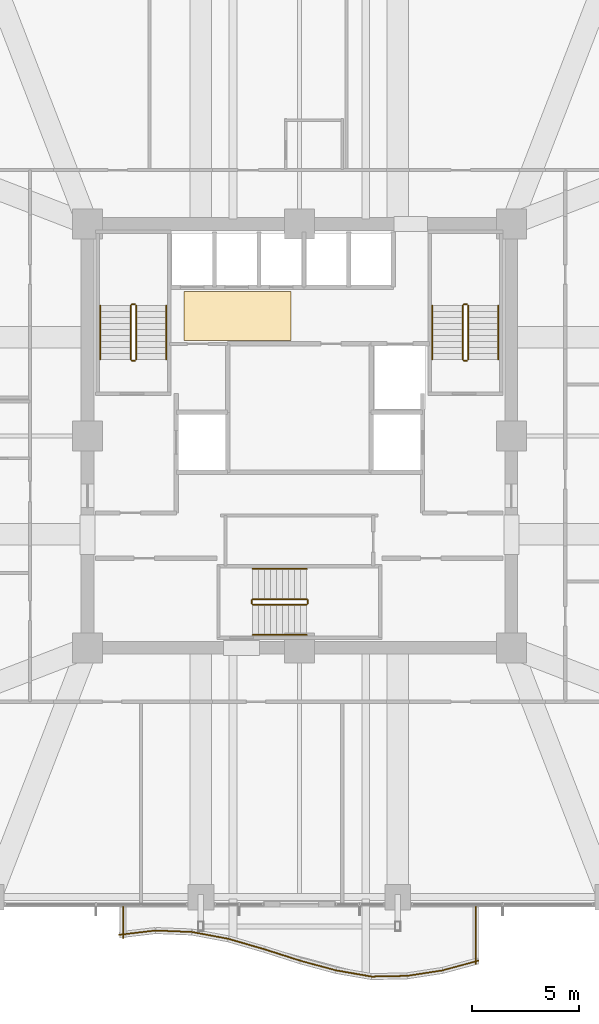
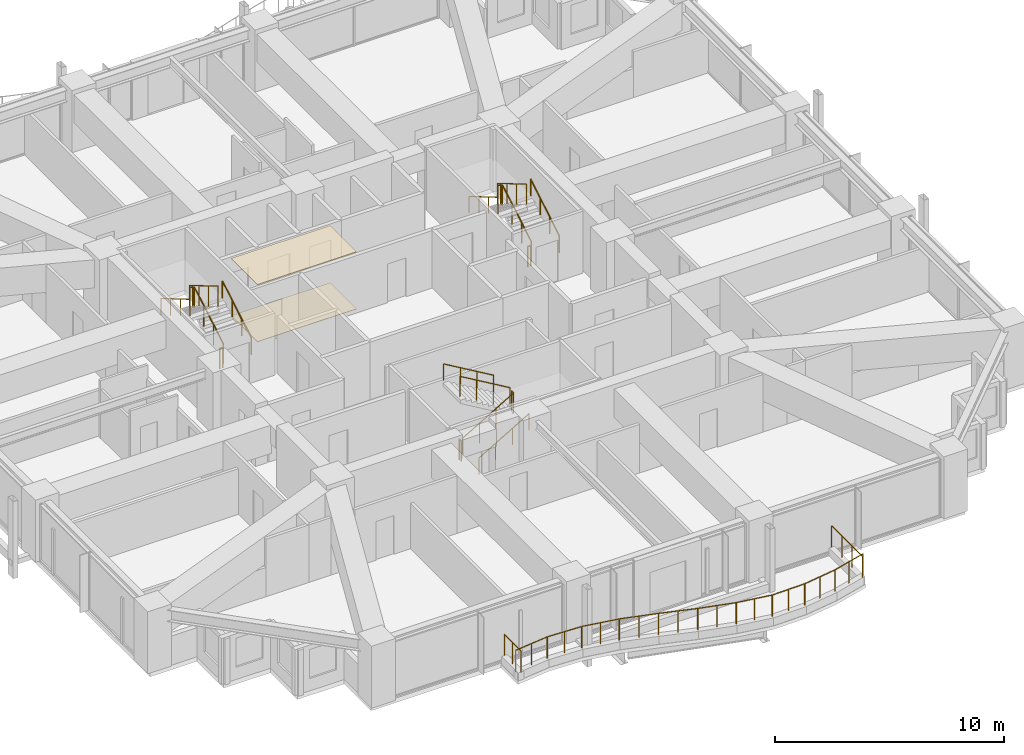
# One storey, part 36 of 37: 30 railings, 2 coverings.
"""IFC4 building model written with IfcOpenShell, lengths in metres."""

from ifc_helpers import new_model, si_unit, direction, frame, origin, origin_2d, place, context, subcontext, project, spatial, polyline, circle, outline, extrude, material, layer, layer_set, type_object, element, save


model = new_model("IFC4")

# Units and contexts
model_context = context("Model", 3, precision=1e-05, world=origin(), true_north=direction((0.0, 1.0)))
body_context = subcontext(model_context, "Body", "Model", "MODEL_VIEW")
ifc_project = project(units=[si_unit("LENGTHUNIT", "METRE"), si_unit("AREAUNIT", "SQUARE_METRE"), si_unit("VOLUMEUNIT", "CUBIC_METRE"), si_unit("PLANEANGLEUNIT", "RADIAN"), si_unit("MASSUNIT", "GRAM", prefix="KILO")], contexts=[model_context])

# Site, building, storey
site_placement = place(None, origin())
site = spatial("IfcSite", under=ifc_project, at=site_placement, CompositionType="ELEMENT")
building_placement = place(site_placement, origin())
building = spatial("IfcBuilding", under=site, at=building_placement, Name="Kolvaren Belvedere", CompositionType="ELEMENT")
storey_placement = place(building_placement, frame((0.0, 0.0, 43.60009765625)))
storey = spatial("IfcBuildingStorey", under=building, at=storey_placement, Name="L12", CompositionType="ELEMENT", Elevation=43.60009765625)

# Coverings
ifc_material_1 = material(Name="Acoustic perforated gypsum board", Category="gypsum")
ifc_layer_1 = layer(ifc_material_1, 0.02490234375)
ifc_layer_set_1 = layer_set([ifc_layer_1], Name="Acoustic perforated gypsum board")
covering_type_1 = type_object("IfcCoveringType", Name="COV-CEIL-GYP", PredefinedType="CEILING", material=ifc_layer_set_1)
covering_1_placement = place(storey_placement, frame((0.0, 0.0, 3.034912109375)))
element("IfcCovering", 1, at=covering_1_placement, inside=storey, type_object=covering_type_1, Name="L12 Lift Lobby Acoustic Baffle Ceiling", PredefinedType="CEILING", context=body_context, shape_type="SweptSolid", body=[
    extrude(outline(polyline([(-5.39990234375, 4.449951171875), (-0.39990234375, 4.449951171875), (-0.39990234375, 6.75), (-5.39990234375, 6.75), (-5.39990234375, 4.449951171875)])), origin(), (0.0, 0.0, 1.0), 0.02490234375),
])
ifc_material_2 = material(Name="Engineered Pacific white oak", Category="timber")
ifc_layer_2 = layer(ifc_material_2, 0.02001953125)
ifc_layer_set_2 = layer_set([ifc_layer_2], Name="Engineered Pacific white oak")
covering_type_2 = type_object("IfcCoveringType", Name="COV-FLR-OAK", PredefinedType="FLOORING", material=ifc_layer_set_2)
covering_2_placement = place(storey_placement, origin())
element("IfcCovering", 2, at=covering_2_placement, inside=storey, type_object=covering_type_2, Name="L12 Lift Lobby Finish Flooring", PredefinedType="FLOORING", context=body_context, shape_type="SweptSolid", body=[
    extrude(outline(polyline([(-5.39990234375, 4.449951171875), (-0.39990234375, 4.449951171875), (-0.39990234375, 6.75), (-5.39990234375, 6.75), (-5.39990234375, 4.449951171875)])), origin(), (0.0, 0.0, 1.0), 0.02001953125),
])

# Railings
ifc_material_3 = material(Name="Anodised pale-metal aluminium & laminated glass guard", Category="aluminium")
railing_type_1 = type_object("IfcRailingType", Name="RL-GUARD-1150", PredefinedType="GUARDRAIL", material=ifc_material_3)
railing_1_placement = place(storey_placement, frame((-8.418701171875, -23.307373046875, 0.35986328125)))
element("IfcRailing", 3, at=railing_1_placement, inside=storey, type_object=railing_type_1, Name="L12 Exterior Deck Safety Guard BAL-S-1", PredefinedType="GUARDRAIL", context=body_context, shape_type="SweptSolid", body=[
    extrude(circle(Radius=0.02392578125, at=origin_2d()), frame((0.0, 0.0, 1.1259765625), z_axis=(0.993142720498, 0.116908240605, 0.0), x_axis=(-0.116908240605, 0.993142720498, 0.0)), (0.0, 0.0, 1.0), 1.691650390625),
    extrude(circle(Radius=0.02099609375, at=origin_2d()), origin(), (0.0, 0.0, 1.0), 1.101806640625),
    extrude(circle(Radius=0.02099609375, at=origin_2d()), frame((0.83984375, 0.098876953125, 0.0)), (0.0, 0.0, 1.0), 1.101806640625),
    extrude(circle(Radius=0.02099609375, at=origin_2d()), frame((1.679931640625, 0.19775390625, 0.0)), (0.0, 0.0, 1.0), 1.101806640625),
])
railing_2_placement = place(storey_placement, frame((-6.713623046875, -23.108642578125, 0.35986328125)))
element("IfcRailing", 4, at=railing_2_placement, inside=storey, type_object=railing_type_1, Name="L12 Exterior Deck Safety Guard BAL-S-2", PredefinedType="GUARDRAIL", context=body_context, shape_type="SweptSolid", body=[
    extrude(circle(Radius=0.02392578125, at=origin_2d()), frame((0.0, 0.0, 1.1259765625), z_axis=(0.999202349922, -0.039933243166, 0.0), x_axis=(0.039933243166, 0.999202349922, 0.0)), (0.0, 0.0, 1.0), 1.68115234375),
    extrude(circle(Radius=0.02099609375, at=origin_2d()), origin(), (0.0, 0.0, 1.0), 1.101806640625),
    extrude(circle(Radius=0.02099609375, at=origin_2d()), frame((0.83984375, -0.03369140625, 0.0)), (0.0, 0.0, 1.0), 1.101806640625),
    extrude(circle(Radius=0.02099609375, at=origin_2d()), frame((1.679931640625, -0.067138671875, 0.0)), (0.0, 0.0, 1.0), 1.101806640625),
])
railing_3_placement = place(storey_placement, frame((-5.010498046875, -23.1787109375, 0.35986328125)))
element("IfcRailing", 5, at=railing_3_placement, inside=storey, type_object=railing_type_1, Name="L12 Exterior Deck Safety Guard BAL-S-3", PredefinedType="GUARDRAIL", context=body_context, shape_type="SweptSolid", body=[
    extrude(circle(Radius=0.02392578125, at=origin_2d()), frame((0.0, 0.0, 1.1259765625), z_axis=(0.982804219087, -0.184650661912, 0.0), x_axis=(0.184650661912, 0.982804219087, 0.0)), (0.0, 0.0, 1.0), 1.70947265625),
    extrude(circle(Radius=0.02099609375, at=origin_2d()), origin(), (0.0, 0.0, 1.0), 1.101806640625),
    extrude(circle(Radius=0.02099609375, at=origin_2d()), frame((0.840087890625, -0.15771484375, 0.0)), (0.0, 0.0, 1.0), 1.101806640625),
    extrude(circle(Radius=0.02099609375, at=origin_2d()), frame((1.68017578125, -0.315673828125, 0.0)), (0.0, 0.0, 1.0), 1.101806640625),
])
railing_4_placement = place(storey_placement, frame((-3.3154296875, -23.497802734375, 0.35986328125)))
element("IfcRailing", 6, at=railing_4_placement, inside=storey, type_object=railing_type_1, Name="L12 Exterior Deck Safety Guard BAL-S-4", PredefinedType="GUARDRAIL", context=body_context, shape_type="SweptSolid", body=[
    extrude(circle(Radius=0.02392578125, at=origin_2d()), frame((0.0, 0.0, 1.1259765625), z_axis=(0.96059663827, -0.277946215201, 0.0), x_axis=(0.277946215201, 0.96059663827, 0.0)), (0.0, 0.0, 1.0), 1.748779296875),
    extrude(circle(Radius=0.02099609375, at=origin_2d()), origin(), (0.0, 0.0, 1.0), 1.101806640625),
    extrude(circle(Radius=0.02099609375, at=origin_2d()), frame((0.83984375, -0.2431640625, 0.0)), (0.0, 0.0, 1.0), 1.101806640625),
    extrude(circle(Radius=0.02099609375, at=origin_2d()), frame((1.679931640625, -0.486083984375, 0.0)), (0.0, 0.0, 1.0), 1.101806640625),
])
railing_5_placement = place(storey_placement, frame((-1.63134765625, -23.985107421875, 0.35986328125)))
element("IfcRailing", 7, at=railing_5_placement, inside=storey, type_object=railing_type_1, Name="L12 Exterior Deck Safety Guard BAL-S-5", PredefinedType="GUARDRAIL", context=body_context, shape_type="SweptSolid", body=[
    extrude(circle(Radius=0.02392578125, at=origin_2d()), frame((0.0, 0.0, 1.1259765625), z_axis=(0.952661770826, -0.304032153573, 0.0), x_axis=(0.304032153573, 0.952661770826, 0.0)), (0.0, 0.0, 1.0), 1.763427734375),
    extrude(circle(Radius=0.02099609375, at=origin_2d()), origin(), (0.0, 0.0, 1.0), 1.101806640625),
    extrude(circle(Radius=0.02099609375, at=origin_2d()), frame((0.83984375, -0.26806640625, 0.0)), (0.0, 0.0, 1.0), 1.101806640625),
    extrude(circle(Radius=0.02099609375, at=origin_2d()), frame((1.679931640625, -0.5361328125, 0.0)), (0.0, 0.0, 1.0), 1.101806640625),
])
railing_6_placement = place(storey_placement, frame((0.041748046875, -24.519287109375, 0.35986328125)))
element("IfcRailing", 8, at=railing_6_placement, inside=storey, type_object=railing_type_1, Name="L12 Exterior Deck Safety Guard BAL-S-6", PredefinedType="GUARDRAIL", context=body_context, shape_type="SweptSolid", body=[
    extrude(circle(Radius=0.02392578125, at=origin_2d()), frame((0.0, 0.0, 1.1259765625), z_axis=(0.965424492388, -0.260682852326, 0.0), x_axis=(0.260682852326, 0.965424492388, 0.0)), (0.0, 0.0, 1.0), 1.739990234375),
    extrude(circle(Radius=0.02099609375, at=origin_2d()), origin(), (0.0, 0.0, 1.0), 1.101806640625),
    extrude(circle(Radius=0.02099609375, at=origin_2d()), frame((0.83984375, -0.226806640625, 0.0)), (0.0, 0.0, 1.0), 1.101806640625),
    extrude(circle(Radius=0.02099609375, at=origin_2d()), frame((1.679931640625, -0.45361328125, 0.0)), (0.0, 0.0, 1.0), 1.101806640625),
])
railing_7_placement = place(storey_placement, frame((1.70751953125, -24.9697265625, 0.35986328125)))
element("IfcRailing", 9, at=railing_7_placement, inside=storey, type_object=railing_type_1, Name="L12 Exterior Deck Safety Guard BAL-S-7", PredefinedType="GUARDRAIL", context=body_context, shape_type="SweptSolid", body=[
    extrude(circle(Radius=0.02392578125, at=origin_2d()), frame((0.0, 0.0, 1.1259765625), z_axis=(0.985156010777, -0.171661394699, 0.0), x_axis=(0.171661394699, 0.985156010777, 0.0)), (0.0, 0.0, 1.0), 1.705322265625),
    extrude(circle(Radius=0.02099609375, at=origin_2d()), origin(), (0.0, 0.0, 1.0), 1.101806640625),
    extrude(circle(Radius=0.02099609375, at=origin_2d()), frame((0.83984375, -0.146484375, 0.0)), (0.0, 0.0, 1.0), 1.101806640625),
    extrude(circle(Radius=0.02099609375, at=origin_2d()), frame((1.679931640625, -0.292724609375, 0.0)), (0.0, 0.0, 1.0), 1.101806640625),
])
railing_8_placement = place(storey_placement, frame((3.356689453125, -25.260009765625, 0.35986328125)))
element("IfcRailing", 10, at=railing_8_placement, inside=storey, type_object=railing_type_1, Name="L12 Exterior Deck Safety Guard BAL-S-8", PredefinedType="GUARDRAIL", context=body_context, shape_type="SweptSolid", body=[
    extrude(circle(Radius=0.02392578125, at=origin_2d()), frame((0.0, 0.0, 1.1259765625), z_axis=(0.99979609052, 0.020193498486, 0.0), x_axis=(-0.020193498486, 0.99979609052, 0.0)), (0.0, 0.0, 1.0), 1.680419921875),
    extrude(circle(Radius=0.02099609375, at=origin_2d()), origin(), (0.0, 0.0, 1.0), 1.101806640625),
    extrude(circle(Radius=0.02099609375, at=origin_2d()), frame((0.840087890625, 0.01708984375, 0.0)), (0.0, 0.0, 1.0), 1.101806640625),
    extrude(circle(Radius=0.02099609375, at=origin_2d()), frame((1.68017578125, 0.033935546875, 0.0)), (0.0, 0.0, 1.0), 1.101806640625),
])
railing_9_placement = place(storey_placement, frame((5.015625, -25.22802734375, 0.35986328125)))
element("IfcRailing", 11, at=railing_9_placement, inside=storey, type_object=railing_type_1, Name="L12 Exterior Deck Safety Guard BAL-S-9", PredefinedType="GUARDRAIL", context=body_context, shape_type="SweptSolid", body=[
    extrude(circle(Radius=0.02392578125, at=origin_2d()), frame((0.0, 0.0, 1.1259765625), z_axis=(0.988341789514, 0.152251460091, 0.0), x_axis=(-0.152251460091, 0.988341789514, 0.0)), (0.0, 0.0, 1.0), 1.69970703125),
    extrude(circle(Radius=0.02099609375, at=origin_2d()), origin(), (0.0, 0.0, 1.0), 1.101806640625),
    extrude(circle(Radius=0.02099609375, at=origin_2d()), frame((0.83984375, 0.12939453125, 0.0)), (0.0, 0.0, 1.0), 1.101806640625),
    extrude(circle(Radius=0.02099609375, at=origin_2d()), frame((1.679931640625, 0.2587890625, 0.0)), (0.0, 0.0, 1.0), 1.101806640625),
])
railing_10_placement = place(storey_placement, frame((6.67822265625, -24.972900390625, 0.35986328125)))
element("IfcRailing", 12, at=railing_10_placement, inside=storey, type_object=railing_type_1, Name="L12 Exterior Deck Safety Guard BAL-S-10", PredefinedType="GUARDRAIL", context=body_context, shape_type="SweptSolid", body=[
    extrude(circle(Radius=0.02392578125, at=origin_2d()), frame((0.0, 0.0, 1.1259765625), z_axis=(0.965434024814, 0.260647546949, 0.0), x_axis=(-0.260647546949, 0.965434024814, 0.0)), (0.0, 0.0, 1.0), 1.740234375),
    extrude(circle(Radius=0.02099609375, at=origin_2d()), origin(), (0.0, 0.0, 1.0), 1.101806640625),
    extrude(circle(Radius=0.02099609375, at=origin_2d()), frame((0.840087890625, 0.226806640625, 0.0)), (0.0, 0.0, 1.0), 1.101806640625),
    extrude(circle(Radius=0.02099609375, at=origin_2d()), frame((1.68017578125, 0.45361328125, 0.0)), (0.0, 0.0, 1.0), 1.101806640625),
])
railing_11_placement = place(storey_placement, frame((8.239990234375, -24.673583984375, 0.35986328125)))
element("IfcRailing", 13, at=railing_11_placement, inside=storey, type_object=railing_type_1, Name="L12 Exterior Deck Safety Guard BAL-S-11", PredefinedType="GUARDRAIL", context=body_context, shape_type="SweptSolid", body=[
    extrude(circle(Radius=0.02392578125, at=origin_2d()), frame((0.0, 0.0, 1.1259765625), z_axis=(0.0, 1.0, 0.0), x_axis=(-1.0, 0.0, 0.0)), (0.0, 0.0, 1.0), 2.673583984375),
    extrude(circle(Radius=0.02099609375, at=origin_2d()), origin(), (0.0, 0.0, 1.0), 1.101806640625),
    extrude(circle(Radius=0.02099609375, at=origin_2d()), frame((0.0, 0.89111328125, 0.0)), (0.0, 0.0, 1.0), 1.101806640625),
    extrude(circle(Radius=0.02099609375, at=origin_2d()), frame((0.0, 1.782470703125, 0.0)), (0.0, 0.0, 1.0), 1.101806640625),
    extrude(circle(Radius=0.02099609375, at=origin_2d()), frame((0.0, 2.673583984375, 0.0)), (0.0, 0.0, 1.0), 1.101806640625),
])
railing_12_placement = place(storey_placement, frame((-8.239990234375, -22.0, 0.35986328125)))
element("IfcRailing", 14, at=railing_12_placement, inside=storey, type_object=railing_type_1, Name="L12 Exterior Deck Safety Guard BAL-S-22", PredefinedType="GUARDRAIL", context=body_context, shape_type="SweptSolid", body=[
    extrude(circle(Radius=0.02392578125, at=origin_2d()), frame((0.0, 0.0, 1.1259765625), z_axis=(0.0, -1.0, 0.0), x_axis=(1.0, 0.0, 0.0)), (0.0, 0.0, 1.0), 1.46630859375),
    extrude(circle(Radius=0.02099609375, at=origin_2d()), origin(), (0.0, 0.0, 1.0), 1.101806640625),
    extrude(circle(Radius=0.02099609375, at=origin_2d()), frame((0.0, -0.733154296875, 0.0)), (0.0, 0.0, 1.0), 1.101806640625),
    extrude(circle(Radius=0.02099609375, at=origin_2d()), frame((0.0, -1.46630859375, 0.0)), (0.0, 0.0, 1.0), 1.101806640625),
])
ifc_material_4 = material(Name="Brushed stainless-steel handrail", Category="steel")
railing_type_2 = type_object("IfcRailingType", Name="RL-HANDRAIL-920", PredefinedType="HANDRAIL", material=ifc_material_4)
railing_13_placement = place(storey_placement, frame((-6.2099609375, 3.570068359375, 0.164794921875)))
element("IfcRailing", 15, at=railing_13_placement, inside=storey, type_object=railing_type_2, Name="L12 ST-1 stair handrail 1", PredefinedType="HANDRAIL", context=body_context, shape_type="SweptSolid", body=[
    extrude(circle(Radius=0.02392578125, at=origin_2d()), frame((0.0, 0.0, 0.8759765625), z_axis=(0.0, 0.86152411907, 0.507716645641), x_axis=(-1.0, 0.0, 0.0)), (0.0, 0.0, 1.0), 2.925048828125),
    extrude(circle(Radius=0.02099609375, at=origin_2d()), origin(), (0.0, 0.0, 1.0), 0.851806640625),
    extrude(circle(Radius=0.02099609375, at=origin_2d()), frame((0.0, 0.840087890625, 0.4951171875)), (0.0, 0.0, 1.0), 0.851806640625),
    extrude(circle(Radius=0.02099609375, at=origin_2d()), frame((0.0, 1.679931640625, 0.989990234375)), (0.0, 0.0, 1.0), 0.851806640625),
    extrude(circle(Radius=0.02099609375, at=origin_2d()), frame((0.0, 2.52001953125, 1.485107421875)), (0.0, 0.0, 1.0), 0.851806640625),
])
railing_14_placement = place(storey_placement, frame((-9.300048828125, 6.090087890625, 1.81494140625)))
element("IfcRailing", 16, at=railing_14_placement, inside=storey, type_object=railing_type_2, Name="L12 ST-1 stair handrail 2", PredefinedType="HANDRAIL", context=body_context, shape_type="SweptSolid", body=[
    extrude(circle(Radius=0.02392578125, at=origin_2d()), frame((0.0, 0.0, 0.8759765625), z_axis=(0.0, -0.861560626758, 0.507654692109), x_axis=(1.0, 0.0, 0.0)), (0.0, 0.0, 1.0), 2.925048828125),
    extrude(circle(Radius=0.02099609375, at=origin_2d()), origin(), (0.0, 0.0, 1.0), 0.851806640625),
    extrude(circle(Radius=0.02099609375, at=origin_2d()), frame((0.0, -0.840087890625, 0.494873046875)), (0.0, 0.0, 1.0), 0.851806640625),
    extrude(circle(Radius=0.02099609375, at=origin_2d()), frame((0.0, -1.679931640625, 0.989990234375)), (0.0, 0.0, 1.0), 0.851806640625),
    extrude(circle(Radius=0.02099609375, at=origin_2d()), frame((0.0, -2.52001953125, 1.48486328125)), (0.0, 0.0, 1.0), 0.851806640625),
])
railing_15_placement = place(storey_placement, frame((9.300048828125, 3.570068359375, 0.164794921875)))
element("IfcRailing", 17, at=railing_15_placement, inside=storey, type_object=railing_type_2, Name="L12 ST-2 stair handrail 1", PredefinedType="HANDRAIL", context=body_context, shape_type="SweptSolid", body=[
    extrude(circle(Radius=0.02392578125, at=origin_2d()), frame((0.0, 0.0, 0.8759765625), z_axis=(0.0, 0.86152411907, 0.507716645641), x_axis=(-1.0, 0.0, 0.0)), (0.0, 0.0, 1.0), 2.925048828125),
    extrude(circle(Radius=0.02099609375, at=origin_2d()), origin(), (0.0, 0.0, 1.0), 0.851806640625),
    extrude(circle(Radius=0.02099609375, at=origin_2d()), frame((0.0, 0.840087890625, 0.4951171875)), (0.0, 0.0, 1.0), 0.851806640625),
    extrude(circle(Radius=0.02099609375, at=origin_2d()), frame((0.0, 1.679931640625, 0.989990234375)), (0.0, 0.0, 1.0), 0.851806640625),
    extrude(circle(Radius=0.02099609375, at=origin_2d()), frame((0.0, 2.52001953125, 1.485107421875)), (0.0, 0.0, 1.0), 0.851806640625),
])
railing_16_placement = place(storey_placement, frame((6.2099609375, 6.090087890625, 1.81494140625)))
element("IfcRailing", 18, at=railing_16_placement, inside=storey, type_object=railing_type_2, Name="L12 ST-2 stair handrail 2", PredefinedType="HANDRAIL", context=body_context, shape_type="SweptSolid", body=[
    extrude(circle(Radius=0.02392578125, at=origin_2d()), frame((0.0, 0.0, 0.8759765625), z_axis=(0.0, -0.861560626758, 0.507654692109), x_axis=(1.0, 0.0, 0.0)), (0.0, 0.0, 1.0), 2.925048828125),
    extrude(circle(Radius=0.02099609375, at=origin_2d()), origin(), (0.0, 0.0, 1.0), 0.851806640625),
    extrude(circle(Radius=0.02099609375, at=origin_2d()), frame((0.0, -0.840087890625, 0.494873046875)), (0.0, 0.0, 1.0), 0.851806640625),
    extrude(circle(Radius=0.02099609375, at=origin_2d()), frame((0.0, -1.679931640625, 0.989990234375)), (0.0, 0.0, 1.0), 0.851806640625),
    extrude(circle(Radius=0.02099609375, at=origin_2d()), frame((0.0, -2.52001953125, 1.48486328125)), (0.0, 0.0, 1.0), 0.851806640625),
])
railing_17_placement = place(storey_placement, frame((-2.179931640625, -9.300048828125, 0.164794921875)))
element("IfcRailing", 19, at=railing_17_placement, inside=storey, type_object=railing_type_2, Name="L12 ST-3 stair handrail 1", PredefinedType="HANDRAIL", context=body_context, shape_type="SweptSolid", body=[
    extrude(circle(Radius=0.02392578125, at=origin_2d()), frame((0.0, 0.0, 0.8759765625), z_axis=(0.86152411907, 0.0, 0.507716645641), x_axis=(0.0, 1.0, 0.0)), (0.0, 0.0, 1.0), 2.925048828125),
    extrude(circle(Radius=0.02099609375, at=origin_2d()), origin(), (0.0, 0.0, 1.0), 0.851806640625),
    extrude(circle(Radius=0.02099609375, at=origin_2d()), frame((0.840087890625, 0.0, 0.4951171875)), (0.0, 0.0, 1.0), 0.851806640625),
    extrude(circle(Radius=0.02099609375, at=origin_2d()), frame((1.679931640625, 0.0, 0.989990234375)), (0.0, 0.0, 1.0), 0.851806640625),
    extrude(circle(Radius=0.02099609375, at=origin_2d()), frame((2.52001953125, 0.0, 1.485107421875)), (0.0, 0.0, 1.0), 0.851806640625),
])
railing_18_placement = place(storey_placement, frame((0.340087890625, -6.2099609375, 1.81494140625)))
element("IfcRailing", 20, at=railing_18_placement, inside=storey, type_object=railing_type_2, Name="L12 ST-3 stair handrail 2", PredefinedType="HANDRAIL", context=body_context, shape_type="SweptSolid", body=[
    extrude(circle(Radius=0.02392578125, at=origin_2d()), frame((0.0, 0.0, 0.8759765625), z_axis=(-0.861560626758, 0.0, 0.507654692109), x_axis=(0.0, -1.0, 0.0)), (0.0, 0.0, 1.0), 2.925048828125),
    extrude(circle(Radius=0.02099609375, at=origin_2d()), origin(), (0.0, 0.0, 1.0), 0.851806640625),
    extrude(circle(Radius=0.02099609375, at=origin_2d()), frame((-0.840087890625, 0.0, 0.494873046875)), (0.0, 0.0, 1.0), 0.851806640625),
    extrude(circle(Radius=0.02099609375, at=origin_2d()), frame((-1.679931640625, 0.0, 0.989990234375)), (0.0, 0.0, 1.0), 0.851806640625),
    extrude(circle(Radius=0.02099609375, at=origin_2d()), frame((-2.52001953125, 0.0, 1.48486328125)), (0.0, 0.0, 1.0), 0.851806640625),
])
ifc_material_5 = material(Name="Painted tubular steel stair guard", Category="steel")
railing_type_3 = type_object("IfcRailingType", Name="RL-STGUARD-1100", PredefinedType="GUARDRAIL", material=ifc_material_5)
railing_19_placement = place(storey_placement, frame((-7.6298828125, 3.570068359375, 0.164794921875)))
element("IfcRailing", 21, at=railing_19_placement, inside=storey, type_object=railing_type_3, Name="L12 ST-1 stair guard 1", PredefinedType="GUARDRAIL", context=body_context, shape_type="SweptSolid", body=[
    extrude(circle(Radius=0.02392578125, at=origin_2d()), frame((0.0, 0.0, 1.076171875), z_axis=(0.0, 0.86152411907, 0.507716645641), x_axis=(-1.0, 0.0, 0.0)), (0.0, 0.0, 1.0), 2.925048828125),
    extrude(circle(Radius=0.02099609375, at=origin_2d()), origin(), (0.0, 0.0, 1.0), 1.052001953125),
    extrude(circle(Radius=0.02099609375, at=origin_2d()), frame((0.0, 0.840087890625, 0.4951171875)), (0.0, 0.0, 1.0), 1.052001953125),
    extrude(circle(Radius=0.02099609375, at=origin_2d()), frame((0.0, 1.679931640625, 0.989990234375)), (0.0, 0.0, 1.0), 1.052001953125),
    extrude(circle(Radius=0.02099609375, at=origin_2d()), frame((0.0, 2.52001953125, 1.485107421875)), (0.0, 0.0, 1.0), 1.052001953125),
])
railing_20_placement = place(storey_placement, frame((-7.679931640625, 6.139892578125, 1.64990234375)))
element("IfcRailing", 22, at=railing_20_placement, inside=storey, type_object=railing_type_3, Name="L12 ST-1 stair guard 2", PredefinedType="GUARDRAIL", context=body_context, shape_type="SweptSolid", body=[
    extrude(circle(Radius=0.02392578125, at=origin_2d()), frame((0.0, 0.0, 1.076171875), z_axis=(-1.0, 0.0, 0.0), x_axis=(0.0, -1.0, 0.0)), (0.0, 0.0, 1.0), 0.150146484375),
    extrude(circle(Radius=0.02099609375, at=origin_2d()), origin(), (0.0, 0.0, 1.0), 1.052001953125),
    extrude(circle(Radius=0.02099609375, at=origin_2d()), frame((-0.150146484375, 0.0, 0.0)), (0.0, 0.0, 1.0), 1.052001953125),
])
railing_21_placement = place(storey_placement, frame((-7.8798828125, 6.090087890625, 1.81494140625)))
element("IfcRailing", 23, at=railing_21_placement, inside=storey, type_object=railing_type_3, Name="L12 ST-1 stair guard 3", PredefinedType="GUARDRAIL", context=body_context, shape_type="SweptSolid", body=[
    extrude(circle(Radius=0.02392578125, at=origin_2d()), frame((0.0, 0.0, 1.076171875), z_axis=(0.0, -0.861560626758, 0.507654692109), x_axis=(1.0, 0.0, 0.0)), (0.0, 0.0, 1.0), 2.925048828125),
    extrude(circle(Radius=0.02099609375, at=origin_2d()), origin(), (0.0, 0.0, 1.0), 1.052001953125),
    extrude(circle(Radius=0.02099609375, at=origin_2d()), frame((0.0, -0.840087890625, 0.494873046875)), (0.0, 0.0, 1.0), 1.052001953125),
    extrude(circle(Radius=0.02099609375, at=origin_2d()), frame((0.0, -1.679931640625, 0.989990234375)), (0.0, 0.0, 1.0), 1.052001953125),
    extrude(circle(Radius=0.02099609375, at=origin_2d()), frame((0.0, -2.52001953125, 1.48486328125)), (0.0, 0.0, 1.0), 1.052001953125),
])
railing_22_placement = place(storey_placement, frame((-7.679931640625, 3.52001953125, 0.0)))
element("IfcRailing", 24, at=railing_22_placement, inside=storey, type_object=railing_type_3, Name="L12 ST-1 stair guard 4", PredefinedType="GUARDRAIL", context=body_context, shape_type="SweptSolid", body=[
    extrude(circle(Radius=0.02392578125, at=origin_2d()), frame((0.0, 0.0, 1.076171875), z_axis=(-1.0, 0.0, 0.0), x_axis=(0.0, -1.0, 0.0)), (0.0, 0.0, 1.0), 0.150146484375),
    extrude(circle(Radius=0.02099609375, at=origin_2d()), origin(), (0.0, 0.0, 1.0), 1.052001953125),
    extrude(circle(Radius=0.02099609375, at=origin_2d()), frame((-0.150146484375, 0.0, 0.0)), (0.0, 0.0, 1.0), 1.052001953125),
])
railing_23_placement = place(storey_placement, frame((7.8798828125, 3.570068359375, 0.164794921875)))
element("IfcRailing", 25, at=railing_23_placement, inside=storey, type_object=railing_type_3, Name="L12 ST-2 stair guard 1", PredefinedType="GUARDRAIL", context=body_context, shape_type="SweptSolid", body=[
    extrude(circle(Radius=0.02392578125, at=origin_2d()), frame((0.0, 0.0, 1.076171875), z_axis=(0.0, 0.86152411907, 0.507716645641), x_axis=(-1.0, 0.0, 0.0)), (0.0, 0.0, 1.0), 2.925048828125),
    extrude(circle(Radius=0.02099609375, at=origin_2d()), origin(), (0.0, 0.0, 1.0), 1.052001953125),
    extrude(circle(Radius=0.02099609375, at=origin_2d()), frame((0.0, 0.840087890625, 0.4951171875)), (0.0, 0.0, 1.0), 1.052001953125),
    extrude(circle(Radius=0.02099609375, at=origin_2d()), frame((0.0, 1.679931640625, 0.989990234375)), (0.0, 0.0, 1.0), 1.052001953125),
    extrude(circle(Radius=0.02099609375, at=origin_2d()), frame((0.0, 2.52001953125, 1.485107421875)), (0.0, 0.0, 1.0), 1.052001953125),
])
railing_24_placement = place(storey_placement, frame((7.830078125, 6.139892578125, 1.64990234375)))
element("IfcRailing", 26, at=railing_24_placement, inside=storey, type_object=railing_type_3, Name="L12 ST-2 stair guard 2", PredefinedType="GUARDRAIL", context=body_context, shape_type="SweptSolid", body=[
    extrude(circle(Radius=0.02392578125, at=origin_2d()), frame((0.0, 0.0, 1.076171875), z_axis=(-1.0, 0.0, 0.0), x_axis=(0.0, -1.0, 0.0)), (0.0, 0.0, 1.0), 0.150146484375),
    extrude(circle(Radius=0.02099609375, at=origin_2d()), origin(), (0.0, 0.0, 1.0), 1.052001953125),
    extrude(circle(Radius=0.02099609375, at=origin_2d()), frame((-0.150146484375, 0.0, 0.0)), (0.0, 0.0, 1.0), 1.052001953125),
])
railing_25_placement = place(storey_placement, frame((7.6298828125, 6.090087890625, 1.81494140625)))
element("IfcRailing", 27, at=railing_25_placement, inside=storey, type_object=railing_type_3, Name="L12 ST-2 stair guard 3", PredefinedType="GUARDRAIL", context=body_context, shape_type="SweptSolid", body=[
    extrude(circle(Radius=0.02392578125, at=origin_2d()), frame((0.0, 0.0, 1.076171875), z_axis=(0.0, -0.861560626758, 0.507654692109), x_axis=(1.0, 0.0, 0.0)), (0.0, 0.0, 1.0), 2.925048828125),
    extrude(circle(Radius=0.02099609375, at=origin_2d()), origin(), (0.0, 0.0, 1.0), 1.052001953125),
    extrude(circle(Radius=0.02099609375, at=origin_2d()), frame((0.0, -0.840087890625, 0.494873046875)), (0.0, 0.0, 1.0), 1.052001953125),
    extrude(circle(Radius=0.02099609375, at=origin_2d()), frame((0.0, -1.679931640625, 0.989990234375)), (0.0, 0.0, 1.0), 1.052001953125),
    extrude(circle(Radius=0.02099609375, at=origin_2d()), frame((0.0, -2.52001953125, 1.48486328125)), (0.0, 0.0, 1.0), 1.052001953125),
])
railing_26_placement = place(storey_placement, frame((7.830078125, 3.52001953125, 0.0)))
element("IfcRailing", 28, at=railing_26_placement, inside=storey, type_object=railing_type_3, Name="L12 ST-2 stair guard 4", PredefinedType="GUARDRAIL", context=body_context, shape_type="SweptSolid", body=[
    extrude(circle(Radius=0.02392578125, at=origin_2d()), frame((0.0, 0.0, 1.076171875), z_axis=(-1.0, 0.0, 0.0), x_axis=(0.0, -1.0, 0.0)), (0.0, 0.0, 1.0), 0.150146484375),
    extrude(circle(Radius=0.02099609375, at=origin_2d()), origin(), (0.0, 0.0, 1.0), 1.052001953125),
    extrude(circle(Radius=0.02099609375, at=origin_2d()), frame((-0.150146484375, 0.0, 0.0)), (0.0, 0.0, 1.0), 1.052001953125),
])
railing_27_placement = place(storey_placement, frame((-2.179931640625, -7.8798828125, 0.164794921875)))
element("IfcRailing", 29, at=railing_27_placement, inside=storey, type_object=railing_type_3, Name="L12 ST-3 stair guard 1", PredefinedType="GUARDRAIL", context=body_context, shape_type="SweptSolid", body=[
    extrude(circle(Radius=0.02392578125, at=origin_2d()), frame((0.0, 0.0, 1.076171875), z_axis=(0.86152411907, 0.0, 0.507716645641), x_axis=(0.0, 1.0, 0.0)), (0.0, 0.0, 1.0), 2.925048828125),
    extrude(circle(Radius=0.02099609375, at=origin_2d()), origin(), (0.0, 0.0, 1.0), 1.052001953125),
    extrude(circle(Radius=0.02099609375, at=origin_2d()), frame((0.840087890625, 0.0, 0.4951171875)), (0.0, 0.0, 1.0), 1.052001953125),
    extrude(circle(Radius=0.02099609375, at=origin_2d()), frame((1.679931640625, 0.0, 0.989990234375)), (0.0, 0.0, 1.0), 1.052001953125),
    extrude(circle(Radius=0.02099609375, at=origin_2d()), frame((2.52001953125, 0.0, 1.485107421875)), (0.0, 0.0, 1.0), 1.052001953125),
])
railing_28_placement = place(storey_placement, frame((0.389892578125, -7.830078125, 1.64990234375)))
element("IfcRailing", 30, at=railing_28_placement, inside=storey, type_object=railing_type_3, Name="L12 ST-3 stair guard 2", PredefinedType="GUARDRAIL", context=body_context, shape_type="SweptSolid", body=[
    extrude(circle(Radius=0.02392578125, at=origin_2d()), frame((0.0, 0.0, 1.076171875), z_axis=(0.0, 1.0, 0.0), x_axis=(-1.0, 0.0, 0.0)), (0.0, 0.0, 1.0), 0.150146484375),
    extrude(circle(Radius=0.02099609375, at=origin_2d()), origin(), (0.0, 0.0, 1.0), 1.052001953125),
    extrude(circle(Radius=0.02099609375, at=origin_2d()), frame((0.0, 0.150146484375, 0.0)), (0.0, 0.0, 1.0), 1.052001953125),
])
railing_29_placement = place(storey_placement, frame((0.340087890625, -7.6298828125, 1.81494140625)))
element("IfcRailing", 31, at=railing_29_placement, inside=storey, type_object=railing_type_3, Name="L12 ST-3 stair guard 3", PredefinedType="GUARDRAIL", context=body_context, shape_type="SweptSolid", body=[
    extrude(circle(Radius=0.02392578125, at=origin_2d()), frame((0.0, 0.0, 1.076171875), z_axis=(-0.861560626758, 0.0, 0.507654692109), x_axis=(0.0, -1.0, 0.0)), (0.0, 0.0, 1.0), 2.925048828125),
    extrude(circle(Radius=0.02099609375, at=origin_2d()), origin(), (0.0, 0.0, 1.0), 1.052001953125),
    extrude(circle(Radius=0.02099609375, at=origin_2d()), frame((-0.840087890625, 0.0, 0.494873046875)), (0.0, 0.0, 1.0), 1.052001953125),
    extrude(circle(Radius=0.02099609375, at=origin_2d()), frame((-1.679931640625, 0.0, 0.989990234375)), (0.0, 0.0, 1.0), 1.052001953125),
    extrude(circle(Radius=0.02099609375, at=origin_2d()), frame((-2.52001953125, 0.0, 1.48486328125)), (0.0, 0.0, 1.0), 1.052001953125),
])
railing_30_placement = place(storey_placement, frame((-2.22998046875, -7.830078125, 0.0)))
element("IfcRailing", 32, at=railing_30_placement, inside=storey, type_object=railing_type_3, Name="L12 ST-3 stair guard 4", PredefinedType="GUARDRAIL", context=body_context, shape_type="SweptSolid", body=[
    extrude(circle(Radius=0.02392578125, at=origin_2d()), frame((0.0, 0.0, 1.076171875), z_axis=(0.0, 1.0, 0.0), x_axis=(-1.0, 0.0, 0.0)), (0.0, 0.0, 1.0), 0.150146484375),
    extrude(circle(Radius=0.02099609375, at=origin_2d()), origin(), (0.0, 0.0, 1.0), 1.052001953125),
    extrude(circle(Radius=0.02099609375, at=origin_2d()), frame((0.0, 0.150146484375, 0.0)), (0.0, 0.0, 1.0), 1.052001953125),
])

save(model, "model.ifc")
